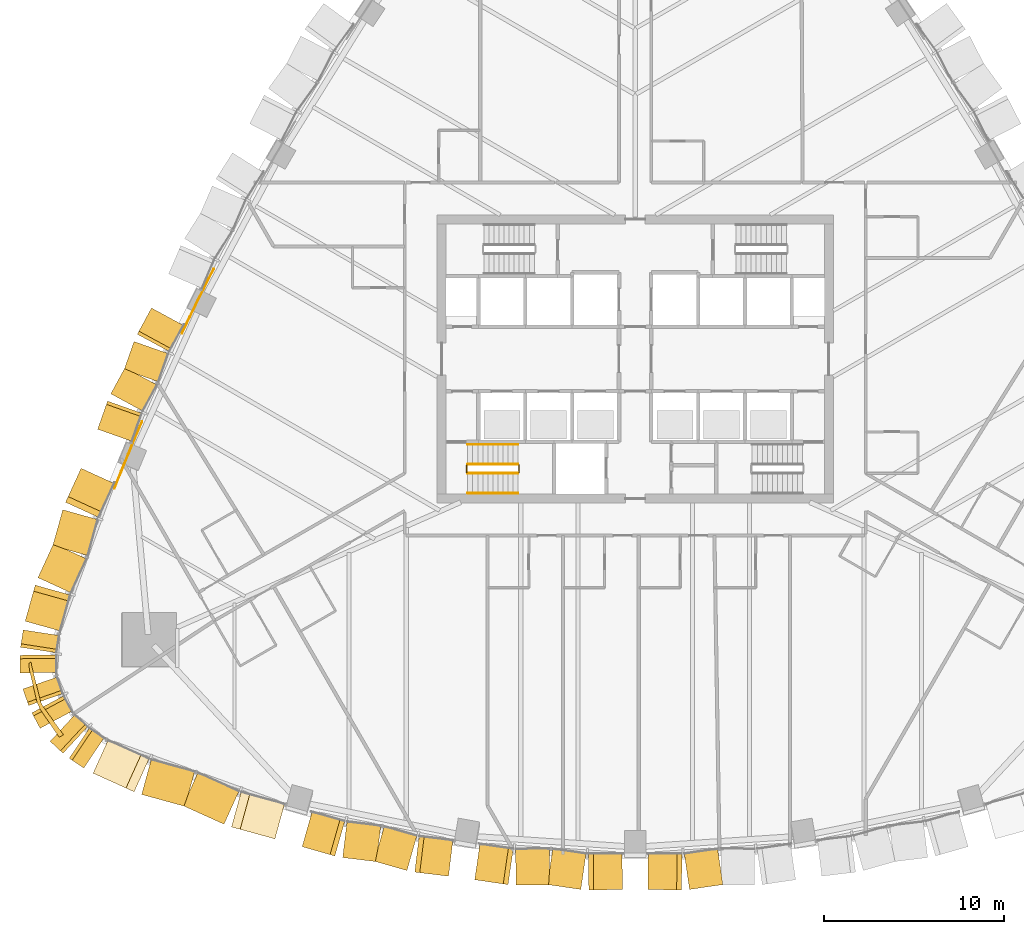
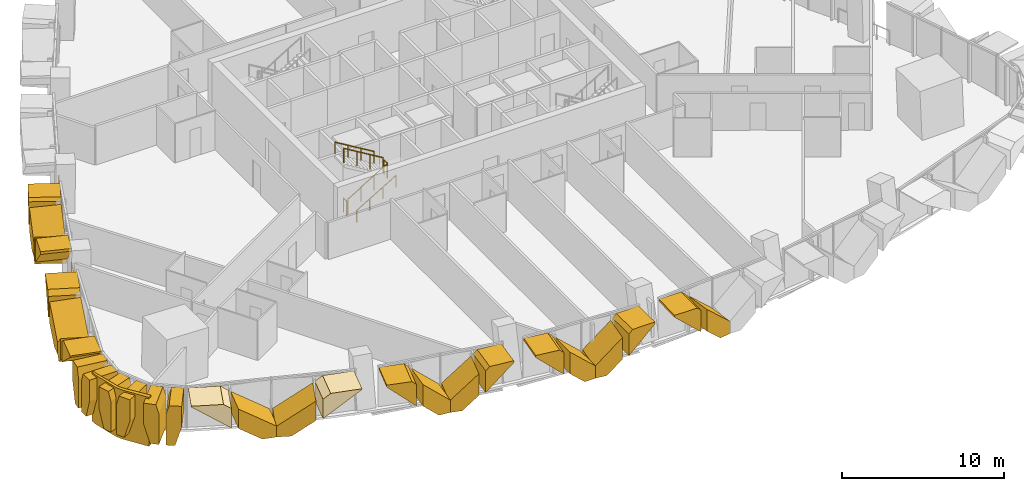
# One storey, part 20 of 24: 29 coverings, 8 railings.
"""IFC4 building model written with IfcOpenShell, lengths in metres."""

from ifc_helpers import new_model, si_unit, direction, frame, origin, origin_2d, place, context, subcontext, project, spatial, polyline, circle, outline, extrude, material, layer, layer_set, type_object, element, save


model = new_model("IFC4")

# Units and contexts
model_context = context("Model", 3, precision=1e-05, world=origin(), true_north=direction((0.0, 1.0)))
body_context = subcontext(model_context, "Body", "Model", "MODEL_VIEW")
ifc_project = project(units=[si_unit("LENGTHUNIT", "METRE"), si_unit("AREAUNIT", "SQUARE_METRE"), si_unit("VOLUMEUNIT", "CUBIC_METRE"), si_unit("PLANEANGLEUNIT", "RADIAN"), si_unit("MASSUNIT", "GRAM", prefix="KILO")], contexts=[model_context])

# Site, building, storey
site_placement = place(None, origin())
site = spatial("IfcSite", under=ifc_project, at=site_placement, CompositionType="ELEMENT")
building_placement = place(site_placement, origin())
building = spatial("IfcBuilding", under=site, at=building_placement, Name="Sierra Prisma Convention Tower", CompositionType="ELEMENT")
storey_placement = place(building_placement, frame((0.0, 0.0, 55.39990234375)))
storey = spatial("IfcBuildingStorey", under=building, at=storey_placement, Name="L09", CompositionType="ELEMENT", Elevation=55.39990234375)

# Coverings
ifc_material_1 = material(Name="Aluminium composite bronze anodised", Category="aluminium")
ifc_layer_1 = layer(ifc_material_1, 1.199951171875)
ifc_layer_set_1 = layer_set([ifc_layer_1], Name="Bronze corner pier")
covering_type_1 = type_object("IfcCoveringType", Name="Bronze corner pier", PredefinedType="CLADDING", material=ifc_layer_set_1)
covering_1_placement = place(storey_placement, frame((0.0, 0.0, -0.599853515625)))
element("IfcCovering", 1, at=covering_1_placement, inside=storey, type_object=covering_type_1, Name="Corner pier SW L09.1", PredefinedType="CLADDING", context=body_context, shape_type="SweptSolid", body=[
    extrude(outline(polyline([(-33.04296875, -19.4443359375), (-33.218017578125, -19.04541015625), (-33.64013671875, -17.2470703125), (-33.6572265625, -16.8916015625), (-33.538330078125, -16.822998046875), (-33.5380859375, -16.837890625), (-33.52587890625, -16.9521484375), (-33.50341796875, -17.064697265625), (-33.035400390625, -18.92236328125), (-33.002197265625, -19.032470703125), (-32.95849609375, -19.138916015625), (-32.9052734375, -19.240478515625), (-32.8427734375, -19.3369140625), (-31.7421875, -20.86669921875), (-31.977294921875, -21.00244140625), (-32.00634765625, -20.97314453125), (-33.04296875, -19.4443359375)])), origin(), (0.0, 0.0, 1.0), 3.699951171875),
])
ifc_material_2 = material(Name="Aluminium 6063-T6 bronze anodised", Category="aluminium")
ifc_layer_2 = layer(ifc_material_2, 2.0)
ifc_layer_set_2 = layer_set([ifc_layer_2], Name="Bronze crystal chevron frame")
covering_type_2 = type_object("IfcCoveringType", Name="Bronze crystal chevron frame", PredefinedType="CLADDING", material=ifc_layer_set_2)
covering_2_placement = place(storey_placement, frame((-30.099609375, -23.00048828125, 2.97998046875), z_axis=(-0.412408318754, -0.910999109772, -2.4825765e-05), x_axis=(1.0238352e-05, 2.261625e-05, -0.999999999692)))
element("IfcCovering", 2, at=covering_2_placement, inside=storey, type_object=covering_type_2, Name="CW-2 chevron frame S1.1.1", PredefinedType="CLADDING", context=body_context, shape_type="SweptSolid", body=[
    extrude(outline(polyline([(0.0, 0.0), (0.05615234373269613, 0.0), (1.8181152340305025, 2.501166953466521), (0.3500976563578858, 2.501166953466521), (-9.393743006324933e-10, 2.003794556953141), (0.0, 0.0)])), origin(), (0.0, 0.0, -1.0), 2.0),
])
covering_3_placement = place(storey_placement, frame((-27.404052734375, -24.1826171875, 2.538330078125), z_axis=(-0.264818876628, -0.964298170993, -1.082187e-06), x_axis=(2.86583e-07, 1.043551e-06, -0.999999999999)))
element("IfcCovering", 3, at=covering_3_placement, inside=storey, type_object=covering_type_2, Name="CW-2 chevron frame S1.1.2", PredefinedType="CLADDING", context=body_context, shape_type="SweptSolid", body=[
    extrude(outline(polyline([(0.0, 0.0), (1.4680175781241405, 7.771620348877118e-23), (2.5383300781273954, 1.5193297931677665), (2.5383300781247673, 2.5011609481291344), (1.7619628906252218, 2.5011609481291344), (0.0, 0.0)])), origin(), (0.0, 0.0, -1.0), 2.0),
])
covering_4_placement = place(storey_placement, frame((-25.109130859375, -24.802734375, 0.0), z_axis=(-0.41248400661, -0.910964842494, -5.517951e-06), x_axis=(0.910964842508, -0.412484006616, -7e-11)))
element("IfcCovering", 4, at=covering_4_placement, inside=storey, type_object=covering_type_2, Name="CW-2 chevron frame S1.2.1", PredefinedType="CLADDING", context=body_context, shape_type="SweptSolid", body=[
    extrude(outline(polyline([(0.0, 0.0), (0.9819546264467854, 0.0), (2.5012676481404457, 1.0703125001903635), (2.501267648038283, 2.538330078293015), (-5.4029215795880226e-11, 0.7763671874881807), (0.0, 0.0)])), origin(), (0.0, 0.0, -1.0), 2.0),
])
covering_5_placement = place(storey_placement, frame((-20.001708984375, -26.6474609375, 2.97998046875), z_axis=(-0.264824758992, -0.964296554399, 4.6891213e-05), x_axis=(-0.964296555459, 0.264824759283, 1.672e-09)))
element("IfcCovering", 5, at=covering_5_placement, inside=storey, type_object=covering_type_2, Name="CW-2 chevron frame S1.2.2", PredefinedType="CLADDING", context=body_context, shape_type="SweptSolid", body=[
    extrude(outline(polyline([(0.0, 0.0), (2.003939517368585, 0.0), (2.501160947490035, 0.35009766081775506), (2.5011609450349703, 1.818115237328827), (-9.390735183635185e-11, 0.05615234368826652), (0.0, 0.0)])), origin(), (0.0, 0.0, -1.0), 2.0),
])
covering_6_placement = place(storey_placement, frame((-18.492431640625, -27.079833984375, 2.97998046875), z_axis=(-0.27416456094, -0.961682791125, -5.2708813e-05), x_axis=(1.4450889e-05, 5.0689159e-05, -0.999999998611)))
element("IfcCovering", 6, at=covering_6_placement, inside=storey, type_object=covering_type_2, Name="CW-2 chevron frame S2.1.1", PredefinedType="CLADDING", context=body_context, shape_type="SweptSolid", body=[
    extrude(outline(polyline([(0.0, 0.0), (0.14990234354176923, 2.539444480537795e-22), (1.885009763715992, 1.8887751490410103), (0.2553710941047384, 1.8887751490410103), (-4.943954679852082e-09, 1.610566241895148), (0.0, 0.0)])), origin(), (0.0, 0.0, -1.0), 2.0),
])
covering_7_placement = place(storey_placement, frame((-16.241455078125, -27.685302734375, 2.605224609375), z_axis=(-0.120205437435, -0.992749037986, 1.9731188e-05), x_axis=(-2.371796e-06, -1.9588118e-05, -0.999999999805)))
element("IfcCovering", 7, at=covering_7_placement, inside=storey, type_object=covering_type_2, Name="CW-2 chevron frame S2.1.2", PredefinedType="CLADDING", context=body_context, shape_type="SweptSolid", body=[
    extrude(outline(polyline([(0.0, 0.0), (1.6296386715577749, 0.0), (2.605224610220887, 1.0616613871117468), (2.6052246092476823, 1.888697185071152), (1.735107421917059, 1.888697185071152), (0.0, 0.0)])), origin(), (0.0, 0.0, -1.0), 2.0),
])
covering_8_placement = place(storey_placement, frame((-13.693115234375, -28.114501953125, 0.0), z_axis=(-0.274064471658, -0.9617113211, -1.5614631e-05), x_axis=(0.708129630947, -0.201810807674, 0.676627536893)))
element("IfcCovering", 8, at=covering_8_placement, inside=storey, type_object=covering_type_2, Name="CW-2 chevron frame S2.2.1", PredefinedType="CLADDING", context=body_context, shape_type="SweptSolid", body=[
    extrude(outline(polyline([(0.0, 0.0), (1.4418359953098328, -2.220446049250313e-16), (2.5444943958854287, 1.1999444369899268), (-0.020058128913551743, 1.2001338048780543), (-0.6088033782995328, 0.5594443706560168), (0.0, 0.0)])), origin(), (0.0, 0.0, -1.0), 2.0),
])
covering_9_placement = place(storey_placement, frame((-10.362548828125, -28.720458984375, 2.97998046875), z_axis=(-0.120360382957, -0.99273026447, 1.4822663e-05), x_axis=(-0.992730264579, 0.12036038297, 2.43e-10)))
element("IfcCovering", 9, at=covering_9_placement, inside=storey, type_object=covering_type_2, Name="CW-2 chevron frame S2.2.2", PredefinedType="CLADDING", context=body_context, shape_type="SweptSolid", body=[
    extrude(outline(polyline([(0.0, 0.0), (1.610342753062063, -4.235164736271502e-22), (1.8884841840805937, 0.255371094236571), (1.8884841836849233, 1.8850097659325462), (-3.6395739055621725e-11, 0.1499023437335324), (0.0, 0.0)])), origin(), (0.0, 0.0, -1.0), 2.0),
])
covering_10_placement = place(storey_placement, frame((-8.909912109375, -28.91796875, 2.97998046875), z_axis=(-0.144055726127, -0.98956957648, -3.2797779e-05), x_axis=(4.724708e-06, 3.2455684e-05, -0.999999999462)))
element("IfcCovering", 10, at=covering_10_placement, inside=storey, type_object=covering_type_2, Name="CW-2 chevron frame S3.1.1", PredefinedType="CLADDING", context=body_context, shape_type="SweptSolid", body=[
    extrude(outline(polyline([(0.0, 0.0), (0.1535644530424058, -1.300741513239636e-22), (1.8876953117554705, 1.8710774398898244), (0.251708984510381, 1.8710774398898244), (-1.9250095656353857e-09, 1.5994551204359857), (0.0, 0.0)])), origin(), (0.0, 0.0, -1.0), 2.0),
])
covering_11_placement = place(storey_placement, frame((-6.615966796875, -29.216796875, 2.60791015625), z_axis=(0.012404988383, -0.999923054974, 1.9879615e-05), x_axis=(2.46606e-07, -1.9878086e-05, -0.999999999802)))
element("IfcCovering", 11, at=covering_11_placement, inside=storey, type_object=covering_type_2, Name="CW-2 chevron frame S3.1.2", PredefinedType="CLADDING", context=body_context, shape_type="SweptSolid", body=[
    extrude(outline(polyline([(0.0, 0.0), (1.63598632780173, 0.0), (2.607910157110639, 1.0486638150257006), (2.607910156118782, 1.871237492365638), (1.73413085941644, 1.871237492365638), (0.0, 0.0)])), origin(), (0.0, 0.0, -1.0), 2.0),
])
covering_12_placement = place(storey_placement, frame((-4.0546875, -29.303955078125, 0.0), z_axis=(-0.144188908613, -0.989550179764, 1.9023935e-05), x_axis=(0.725732943613, -0.105734616293, 0.679802828379)))
element("IfcCovering", 12, at=covering_12_placement, inside=storey, type_object=covering_type_2, Name="CW-2 chevron frame S3.2.1", PredefinedType="CLADDING", context=body_context, shape_type="SweptSolid", body=[
    extrude(outline(polyline([(0.0, 0.0), (1.4297143060590067, 0.0), (2.5418624391083027, 1.1998240683526273), (-0.009269124695721831, 1.2000089531101175), (-0.6032667620906526, 0.5591836523141087), (0.0, 0.0)])), origin(), (0.0, 0.0, -1.0), 2.0),
])
covering_13_placement = place(storey_placement, frame((-0.70361328125, -29.4609375, 2.97998046875), z_axis=(0.012407706702, -0.999923016742, -9.6971456e-05), x_axis=(-0.999923021444, -0.012407706761, 1.0521e-08)))
element("IfcCovering", 13, at=covering_13_placement, inside=storey, type_object=covering_type_2, Name="CW-2 chevron frame S3.2.2", PredefinedType="CLADDING", context=body_context, shape_type="SweptSolid", body=[
    extrude(outline(polyline([(0.0, 0.0), (1.599490514021372, 4.235164736271502e-22), (1.8712374896580073, 0.25170900524544815), (1.8712374724460659, 1.8876953256784796), (-1.6156261942453985e-09, 0.15356445240298117), (0.0, 0.0)])), origin(), (0.0, 0.0, -1.0), 2.0),
])
covering_14_placement = place(storey_placement, frame((0.70361328125, -29.4609375, 2.97998046875), z_axis=(-0.012407706702, -0.999923016742, -9.6971456e-05), x_axis=(1.203193e-06, 9.6963991e-05, -0.999999995298)))
element("IfcCovering", 14, at=covering_14_placement, inside=storey, type_object=covering_type_2, Name="CW-2 chevron frame S4.1.1", PredefinedType="CLADDING", context=body_context, shape_type="SweptSolid", body=[
    extrude(outline(polyline([(0.0, 0.0), (0.15356445240298117, -3.25185378309909e-23), (1.8876953059914996, 1.8712374923061963), (0.2517089855584681, 1.8712374923061963), (-1.6827975038901615e-08, 1.599490514021372), (0.0, 0.0)])), origin(), (0.0, 0.0, -1.0), 2.0),
])
covering_15_placement = place(storey_placement, frame((3.01708984375, -29.455078125, 2.60791015625), z_axis=(0.144188908613, -0.989550179764, 1.9023935e-05), x_axis=(2.74304e-06, -1.8825138e-05, -0.999999999819)))
element("IfcCovering", 15, at=covering_15_placement, inside=storey, type_object=covering_type_2, Name="CW-2 chevron frame S4.1.2", PredefinedType="CLADDING", context=body_context, shape_type="SweptSolid", body=[
    extrude(outline(polyline([(0.0, 0.0), (1.6359863278289601, -6.928671605897298e-22), (2.607910157038144, 1.048545214649871), (2.6079101561298343, 1.8711126242028426), (1.7341308594129494, 1.8711126242028426), (0.0, 0.0)])), origin(), (0.0, 0.0, -1.0), 2.0),
])
covering_16_placement = place(storey_placement, frame((-26.857177734375, 2.830810546875, 2.97998046875), z_axis=(-0.879167405342, 0.476513035136, 2.7011819e-05), x_axis=(-2.3747911e-05, 1.2871484e-05, -0.999999999635)))
element("IfcCovering", 16, at=covering_16_placement, inside=storey, type_object=covering_type_2, Name="CW-2 chevron frame NW5.1.1", PredefinedType="CLADDING", context=body_context, shape_type="SweptSolid", body=[
    extrude(outline(polyline([(0.0, 0.0), (0.20727539054938196, 0.0), (1.9274902338157474, 1.655899748556761), (0.19726562507196627, 1.655899748556761), (-1.4136743771718573e-09, 1.4659249337195335), (0.0, 0.0)])), origin(), (0.0, 0.0, -1.0), 2.0),
])
covering_17_placement = place(storey_placement, frame((-27.826416015625, 0.9697265625, 2.647705078125), z_axis=(-0.942847946319, 0.33322327198, -3.3652377e-05), x_axis=(3.1729075e-05, -1.1213755e-05, -0.999999999434)))
element("IfcCovering", 17, at=covering_17_placement, inside=storey, type_object=covering_type_2, Name="CW-2 chevron frame NW5.1.2", PredefinedType="CLADDING", context=body_context, shape_type="SweptSolid", body=[
    extrude(outline(polyline([(0.0, 0.0), (1.7302246083952757, 0.0), (2.6477050806746067, 0.8832002904490599), (2.6477050776647912, 1.6559075232488045), (1.7202148438149742, 1.6559075232488045), (0.0, 0.0)])), origin(), (0.0, 0.0, -1.0), 2.0),
])
covering_18_placement = place(storey_placement, frame((-28.32763671875, -0.478271484375, 0.0), z_axis=(-0.879101860328, 0.476633946647, 8.491063e-06), x_axis=(-0.476633946664, -0.879101860359, -2.48e-10)))
element("IfcCovering", 18, at=covering_18_placement, inside=storey, type_object=covering_type_2, Name="CW-2 chevron frame NW5.2.1", PredefinedType="CLADDING", context=body_context, shape_type="SweptSolid", body=[
    extrude(outline(polyline([(0.0, 0.0), (0.7728957770743188, 4.235164736271502e-22), (1.6560160991105004, 0.9174804691936339), (1.656016098681543, 2.647705078506261), (-2.2994340576188642e-10, 0.9274902343415649), (0.0, 0.0)])), origin(), (0.0, 0.0, -1.0), 2.0),
])
covering_19_placement = place(storey_placement, frame((-29.848876953125, -3.900634765625, 2.97998046875), z_axis=(-0.942852444083, 0.333210544281, 4.3201794e-05), x_axis=(0.333210544592, 0.942852444963, 2.467e-09)))
element("IfcCovering", 19, at=covering_19_placement, inside=storey, type_object=covering_type_2, Name="CW-2 chevron frame NW5.2.2", PredefinedType="CLADDING", context=body_context, shape_type="SweptSolid", body=[
    extrude(outline(polyline([(0.0, 0.0), (1.4658793922519833, 3.3881317890172014e-21), (1.6559075230280902, 0.19726562926900365), (1.6559075187598433, 1.9274902370293627), (-5.113223460614193e-10, 0.20727539043157117), (0.0, 0.0)])), origin(), (0.0, 0.0, -1.0), 2.0),
])
covering_20_placement = place(storey_placement, frame((-30.765380859375, -6.06884765625, 2.97998046875), z_axis=(-0.909217782755, 0.416320815504, 4.5834417e-05), x_axis=(-4.1673467e-05, 1.9081822e-05, -0.99999999895)))
element("IfcCovering", 20, at=covering_20_placement, inside=storey, type_object=covering_type_2, Name="CW-2 chevron frame NW6.1.1", PredefinedType="CLADDING", context=body_context, shape_type="SweptSolid", body=[
    extrude(outline(polyline([(0.0, 0.0), (0.1140136717552404, 0.0), (1.8591308580345645, 2.0759126890360977), (0.2915039065561948, 2.0759126890360977), (-3.5327802116345223e-09, 1.7289470397220899), (0.0, 0.0)])), origin(), (0.0, 0.0, -1.0), 2.0),
])
covering_21_placement = place(storey_placement, frame((-31.781982421875, -8.372802734375, 2.579345703125), z_axis=(-0.963147549927, 0.268973598255, 2.2599076e-05), x_axis=(-2.1766245e-05, 6.078555e-06, -0.999999999745)))
element("IfcCovering", 21, at=covering_21_placement, inside=storey, type_object=covering_type_2, Name="CW-2 chevron frame NW6.1.2", PredefinedType="CLADDING", context=body_context, shape_type="SweptSolid", body=[
    extrude(outline(polyline([(0.0, 0.0), (1.5676269527246922, 1.3278316783007477e-21), (2.5793457042097154, 1.2033008818480984), (2.5793457029830438, 2.075770973568197), (1.7451171875710716, 2.075770973568197), (0.0, 0.0)])), origin(), (0.0, 0.0, -1.0), 2.0),
])
covering_22_placement = place(storey_placement, frame((-32.297607421875, -10.255615234375, 0.0), z_axis=(-0.909210430135, 0.416336874661, 2.3034587e-05), x_axis=(-0.416336874772, -0.909210430376, -1.461e-09)))
element("IfcCovering", 22, at=covering_22_placement, inside=storey, type_object=covering_type_2, Name="CW-2 chevron frame NW6.2.1", PredefinedType="CLADDING", context=body_context, shape_type="SweptSolid", body=[
    extrude(outline(polyline([(0.0, 0.0), (0.8724448139534627, -1.6940658945086007e-21), (2.075912687470437, 1.011718753300752), (2.075912685180558, 2.5793457060098666), (-1.2185820981941853e-09, 0.8342285154036825), (0.0, 0.0)])), origin(), (0.0, 0.0, -1.0), 2.0),
])
covering_23_placement = place(storey_placement, frame((-33.872802734375, -14.558837890625, 2.97998046875), z_axis=(-0.96314435185, 0.268985050626, 6.236928e-06), x_axis=(0.268985050631, 0.963144351869, 3.8e-11)))
element("IfcCovering", 23, at=covering_23_placement, inside=storey, type_object=covering_type_2, Name="CW-2 chevron frame NW6.2.2", PredefinedType="CLADDING", context=body_context, shape_type="SweptSolid", body=[
    extrude(outline(polyline([(0.0, 0.0), (1.7290098011596893, 0.0), (2.075770973682291, 0.2915039063342035), (2.075770973622982, 1.8591308594287137), (-4.313542449138835e-12, 0.11401367187278248), (0.0, 0.0)])), origin(), (0.0, 0.0, -1.0), 2.0),
])
covering_24_placement = place(storey_placement, frame((-33.977783203125, -15.046142578125, 2.97998046875), z_axis=(-0.988443183587, 0.151591793793, 2.9569282e-05), x_axis=(-2.9227555e-05, 4.48246e-06, -0.999999999563)))
element("IfcCovering", 24, at=covering_24_placement, inside=storey, type_object=covering_type_2, Name="CW-2 chevron frame SW1.1.1", PredefinedType="CLADDING", context=body_context, shape_type="SweptSolid", body=[
    extrude(outline(polyline([(0.0, 0.0), (1.588867186805393, 1.345822856623776e-21), (2.97998047045634, 0.4132384125699193), (2.979980468386376, 0.9741535529925804), (0.6540527350282046, 0.9741535529925804), (-1.2185211401079733e-09, 0.7797572168401666), (0.0, 0.0)])), origin(), (0.0, 0.0, -1.0), 2.0),
])
covering_25_placement = place(storey_placement, frame((-34.158203125, -16.451416015625, 0.0), z_axis=(-0.999987609555, -0.004977965567, 2.4408547e-05), x_axis=(0.004977965568, -0.999987609853, -4.617e-09)))
element("IfcCovering", 25, at=covering_25_placement, inside=storey, type_object=covering_type_2, Name="CW-2 chevron frame SW1.1.2", PredefinedType="CLADDING", context=body_context, shape_type="SweptSolid", body=[
    extrude(outline(polyline([(0.0, 0.0), (0.5607974359015554, 1.3234889800848443e-23), (0.974133324295406, 1.391113286153867), (0.9741333169591153, 2.9799804731805617), (0.19433837718410724, 2.9799804689830243), (-1.0739527011057876e-08, 2.3259277336821325), (0.0, 0.0)])), origin(), (0.0, 0.0, -1.0), 2.0),
])
covering_26_placement = place(storey_placement, frame((-33.99951171875, -18.323486328125, 2.97998046875), z_axis=(-0.944493580696, -0.328529870663, -1.028767e-05), x_axis=(9.716638e-06, 3.379807e-06, -0.999999999947)))
element("IfcCovering", 26, at=covering_26_placement, inside=storey, type_object=covering_type_2, Name="CW-2 chevron frame SW2.1.1", PredefinedType="CLADDING", context=body_context, shape_type="SweptSolid", body=[
    extrude(outline(polyline([(0.0, 0.0), (1.5888671874159204, 6.72911428311888e-22), (2.9799804681381197, 0.41330757903111), (2.979980468597333, 0.974242911692948), (0.6540527343454166, 0.974242911692948), (-1.0067993309178417e-09, 0.7798254315075515), (0.0, 0.0)])), origin(), (0.0, 0.0, -1.0), 2.0),
])
covering_27_placement = place(storey_placement, frame((-33.50146484375, -19.649658203125, 0.0), z_axis=(-0.881392856811, -0.472383987821, 3.526742e-06), x_axis=(0.472383987824, -0.881392856817, -4.09e-10)))
element("IfcCovering", 27, at=covering_27_placement, inside=storey, type_object=covering_type_2, Name="CW-2 chevron frame SW2.1.2", PredefinedType="CLADDING", context=body_context, shape_type="SweptSolid", body=[
    extrude(outline(polyline([(0.0, 0.0), (0.560878213340539, -1.0587911840678754e-22), (0.9741949443708398, 1.391113281683598), (0.9741949437212399, 2.9799804691737166), (0.19442240232343416, 2.9799804686302744), (-9.509430752161249e-10, 2.325927734360535), (0.0, 0.0)])), origin(), (0.0, 0.0, -1.0), 2.0),
])
covering_28_placement = place(storey_placement, frame((-32.485107421875, -21.22998046875, 2.97998046875), z_axis=(-0.680955142336, -0.732325128677, -5.909032e-06), x_axis=(4.023786e-06, 4.327333e-06, -0.999999999983)))
element("IfcCovering", 28, at=covering_28_placement, inside=storey, type_object=covering_type_2, Name="CW-2 chevron frame SW3.1.1", PredefinedType="CLADDING", context=body_context, shape_type="SweptSolid", body=[
    extrude(outline(polyline([(0.0, 0.0), (1.588867187472261, 1.345822856623776e-21), (2.979980468791563, 0.4130398336013066), (2.979980468731951, 0.9741233270970902), (0.6540527343975573, 0.9741233270970902), (-7.657065755266613e-11, 0.7797817164578118), (0.0, 0.0)])), origin(), (0.0, 0.0, -1.0), 2.0),
])
covering_29_placement = place(storey_placement, frame((-30.958984375, -22.48193359375, 0.0), z_axis=(-0.5581065146, -0.829769316349, -2.615863e-06), x_axis=(0.236360265953, -0.158979982887, 0.958571431725)))
element("IfcCovering", 29, at=covering_29_placement, inside=storey, type_object=covering_type_2, Name="CW-2 chevron frame SW3.1.2", PredefinedType="CLADDING", context=body_context, shape_type="SweptSolid", body=[
    extrude(outline(polyline([(0.0, 0.0), (1.4512359070954333, 1.1102230246251565e-16), (2.9742786018386176, 0.45259240988587685), (2.7520978463383443, 1.2002646404589132), (2.0698230041696757, 1.2001117116190003), (-0.15974487425969053, 0.5375659388804098), (0.0, 0.0)])), origin(), (0.0, 0.0, -1.0), 2.0),
])

# Railings
ifc_material_3 = material(Name="Stainless steel", Category="steel")
railing_type_1 = type_object("IfcRailingType", Name="Exit stair handrail", PredefinedType="HANDRAIL", material=ifc_material_3)
railing_1_placement = place(storey_placement, frame((-9.300048828125, -7.449951171875, 0.168212890625)))
element("IfcRailing", 30, at=railing_1_placement, inside=storey, type_object=railing_type_1, Name="L09 S1 stair handrail 1", PredefinedType="HANDRAIL", context=body_context, shape_type="SweptSolid", body=[
    extrude(circle(Radius=0.02392578125, at=origin_2d()), frame((0.0, 0.0, 0.8759765625), z_axis=(0.857242210791, 0.0, 0.514913383045), x_axis=(0.0, 1.0, 0.0)), (0.0, 0.0, 1.0), 3.266357421875),
    extrude(circle(Radius=0.02099609375, at=origin_2d()), origin(), (0.0, 0.0, 1.0), 0.851806640625),
    extrude(circle(Radius=0.02099609375, at=origin_2d()), frame((0.933349609375, 0.0, 0.560546875)), (0.0, 0.0, 1.0), 0.851806640625),
    extrude(circle(Radius=0.02099609375, at=origin_2d()), frame((1.86669921875, 0.0, 1.121337890625)), (0.0, 0.0, 1.0), 0.851806640625),
    extrude(circle(Radius=0.02099609375, at=origin_2d()), frame((2.800048828125, 0.0, 1.681884765625)), (0.0, 0.0, 1.0), 0.851806640625),
])
railing_2_placement = place(storey_placement, frame((-6.5, -4.75, 2.018310546875)))
element("IfcRailing", 31, at=railing_2_placement, inside=storey, type_object=railing_type_1, Name="L09 S1 stair handrail 2", PredefinedType="HANDRAIL", context=body_context, shape_type="SweptSolid", body=[
    extrude(circle(Radius=0.02392578125, at=origin_2d()), frame((0.0, 0.0, 0.8759765625), z_axis=(-0.857242210791, 0.0, 0.514913383045), x_axis=(0.0, -1.0, 0.0)), (0.0, 0.0, 1.0), 3.266357421875),
    extrude(circle(Radius=0.02099609375, at=origin_2d()), origin(), (0.0, 0.0, 1.0), 0.851806640625),
    extrude(circle(Radius=0.02099609375, at=origin_2d()), frame((-0.933349609375, 0.0, 0.560546875)), (0.0, 0.0, 1.0), 0.851806640625),
    extrude(circle(Radius=0.02099609375, at=origin_2d()), frame((-1.86669921875, 0.0, 1.121337890625)), (0.0, 0.0, 1.0), 0.851806640625),
    extrude(circle(Radius=0.02099609375, at=origin_2d()), frame((-2.800048828125, 0.0, 1.681884765625)), (0.0, 0.0, 1.0), 0.851806640625),
])
ifc_material_4 = material(Name="Bronze anodised aluminium", Category="aluminium")
railing_type_2 = type_object("IfcRailingType", Name="Facade guard 1100", PredefinedType="GUARDRAIL", material=ifc_material_4)
railing_3_placement = place(storey_placement, frame((-23.406494140625, 4.99951171875, 0.0)))
element("IfcRailing", 32, at=railing_3_placement, inside=storey, type_object=railing_type_2, Name="Facade guard", PredefinedType="GUARDRAIL", context=body_context, shape_type="SweptSolid", body=[
    extrude(circle(Radius=0.02392578125, at=origin_2d()), frame((0.0, 0.0, 1.076171875), z_axis=(-0.449470569267, -0.893295140121, 0.0), x_axis=(0.893295140121, -0.449470569267, 0.0)), (0.0, 0.0, 1.0), 0.99462890625),
    extrude(circle(Radius=0.02392578125, at=origin_2d()), frame((-0.447021484375, -0.888427734375, 1.076171875), z_axis=(-0.44701827374, -0.894524825224, 0.0), x_axis=(0.894524825224, -0.44701827374, 0.0)), (0.0, 0.0, 1.0), 1.0),
    extrude(circle(Radius=0.02392578125, at=origin_2d()), frame((-0.89404296875, -1.782958984375, 1.076171875), z_axis=(-0.436574705312, -0.899668009147, 0.0), x_axis=(0.899668009147, -0.436574705312, 0.0)), (0.0, 0.0, 1.0), 0.994384765625),
    extrude(circle(Radius=0.02392578125, at=origin_2d()), frame((-1.328125, -2.677490234375, 1.076171875), z_axis=(-0.43457154287, -0.900637315532, 0.0), x_axis=(0.900637315532, -0.43457154287, 0.0)), (0.0, 0.0, 1.0), 1.0),
    extrude(circle(Radius=0.02099609375, at=origin_2d()), origin(), (0.0, 0.0, 1.0), 1.052001953125),
    extrude(circle(Radius=0.02099609375, at=origin_2d()), frame((-0.447021484375, -0.888427734375, 0.0)), (0.0, 0.0, 1.0), 1.052001953125),
    extrude(circle(Radius=0.02099609375, at=origin_2d()), frame((-0.89404296875, -1.782958984375, 0.0)), (0.0, 0.0, 1.0), 1.052001953125),
    extrude(circle(Radius=0.02099609375, at=origin_2d()), frame((-1.328125, -2.677490234375, 0.0)), (0.0, 0.0, 1.0), 1.052001953125),
    extrude(circle(Radius=0.02099609375, at=origin_2d()), frame((-1.7626953125, -3.578125, 0.0)), (0.0, 0.0, 1.0), 1.052001953125),
])
railing_4_placement = place(storey_placement, frame((-27.385986328125, -3.48583984375, 0.0)))
element("IfcRailing", 33, at=railing_4_placement, inside=storey, type_object=railing_type_2, Name="Facade guard", PredefinedType="GUARDRAIL", context=body_context, shape_type="SweptSolid", body=[
    extrude(circle(Radius=0.02392578125, at=origin_2d()), frame((0.0, 0.0, 1.076171875), z_axis=(-0.393089424679, -0.919500246985, 0.0), x_axis=(0.919500246985, -0.393089424679, 0.0)), (0.0, 0.0, 1.0), 0.994384765625),
    extrude(circle(Radius=0.02392578125, at=origin_2d()), frame((-0.390869140625, -0.914306640625, 1.076171875), z_axis=(-0.383731234591, -0.923444822174, 0.0), x_axis=(0.923444822174, -0.383731234591, 0.0)), (0.0, 0.0, 1.0), 1.000244140625),
    extrude(circle(Radius=0.02392578125, at=origin_2d()), frame((-0.774658203125, -1.837890625, 1.076171875), z_axis=(-0.379885084701, -0.925033687182, 0.0), x_axis=(0.925033687182, -0.379885084701, 0.0)), (0.0, 0.0, 1.0), 0.994140625),
    extrude(circle(Radius=0.02392578125, at=origin_2d()), frame((-1.15234375, -2.757568359375, 1.076171875), z_axis=(-0.370843409258, -0.928695410676, 0.0), x_axis=(0.928695410676, -0.370843409258, 0.0)), (0.0, 0.0, 1.0), 1.0),
    extrude(circle(Radius=0.02099609375, at=origin_2d()), origin(), (0.0, 0.0, 1.0), 1.052001953125),
    extrude(circle(Radius=0.02099609375, at=origin_2d()), frame((-0.390869140625, -0.914306640625, 0.0)), (0.0, 0.0, 1.0), 1.052001953125),
    extrude(circle(Radius=0.02099609375, at=origin_2d()), frame((-0.774658203125, -1.837890625, 0.0)), (0.0, 0.0, 1.0), 1.052001953125),
    extrude(circle(Radius=0.02099609375, at=origin_2d()), frame((-1.15234375, -2.757568359375, 0.0)), (0.0, 0.0, 1.0), 1.052001953125),
    extrude(circle(Radius=0.02099609375, at=origin_2d()), frame((-1.523193359375, -3.686279296875, 0.0)), (0.0, 0.0, 1.0), 1.052001953125),
])
ifc_material_5 = material(Name="Stainless steel", Category="steel")
railing_type_3 = type_object("IfcRailingType", Name="Stair guard 1100", PredefinedType="GUARDRAIL", material=ifc_material_5)
railing_5_placement = place(storey_placement, frame((-9.300048828125, -6.35009765625, 0.168212890625)))
element("IfcRailing", 34, at=railing_5_placement, inside=storey, type_object=railing_type_3, Name="L09 S1 stair guard 1", PredefinedType="GUARDRAIL", context=body_context, shape_type="SweptSolid", body=[
    extrude(circle(Radius=0.02392578125, at=origin_2d()), frame((0.0, 0.0, 1.076171875), z_axis=(0.857242210791, 0.0, 0.514913383045), x_axis=(0.0, 1.0, 0.0)), (0.0, 0.0, 1.0), 3.266357421875),
    extrude(circle(Radius=0.02099609375, at=origin_2d()), origin(), (0.0, 0.0, 1.0), 1.052001953125),
    extrude(circle(Radius=0.02099609375, at=origin_2d()), frame((0.933349609375, 0.0, 0.560546875)), (0.0, 0.0, 1.0), 1.052001953125),
    extrude(circle(Radius=0.02099609375, at=origin_2d()), frame((1.86669921875, 0.0, 1.121337890625)), (0.0, 0.0, 1.0), 1.052001953125),
    extrude(circle(Radius=0.02099609375, at=origin_2d()), frame((2.800048828125, 0.0, 1.681884765625)), (0.0, 0.0, 1.0), 1.052001953125),
])
railing_6_placement = place(storey_placement, frame((-6.449951171875, -6.300048828125, 1.85009765625)))
element("IfcRailing", 35, at=railing_6_placement, inside=storey, type_object=railing_type_3, Name="L09 S1 stair guard 2", PredefinedType="GUARDRAIL", context=body_context, shape_type="SweptSolid", body=[
    extrude(circle(Radius=0.02392578125, at=origin_2d()), frame((0.0, 0.0, 1.076171875), z_axis=(0.0, 1.0, 0.0), x_axis=(-1.0, 0.0, 0.0)), (0.0, 0.0, 1.0), 0.400146484375),
    extrude(circle(Radius=0.02099609375, at=origin_2d()), origin(), (0.0, 0.0, 1.0), 1.052001953125),
    extrude(circle(Radius=0.02099609375, at=origin_2d()), frame((0.0, 0.400146484375, 0.0)), (0.0, 0.0, 1.0), 1.052001953125),
])
railing_7_placement = place(storey_placement, frame((-6.5, -5.85009765625, 2.018310546875)))
element("IfcRailing", 36, at=railing_7_placement, inside=storey, type_object=railing_type_3, Name="L09 S1 stair guard 3", PredefinedType="GUARDRAIL", context=body_context, shape_type="SweptSolid", body=[
    extrude(circle(Radius=0.02392578125, at=origin_2d()), frame((0.0, 0.0, 1.076171875), z_axis=(-0.857242210791, 0.0, 0.514913383045), x_axis=(0.0, -1.0, 0.0)), (0.0, 0.0, 1.0), 3.266357421875),
    extrude(circle(Radius=0.02099609375, at=origin_2d()), origin(), (0.0, 0.0, 1.0), 1.052001953125),
    extrude(circle(Radius=0.02099609375, at=origin_2d()), frame((-0.933349609375, 0.0, 0.560546875)), (0.0, 0.0, 1.0), 1.052001953125),
    extrude(circle(Radius=0.02099609375, at=origin_2d()), frame((-1.86669921875, 0.0, 1.121337890625)), (0.0, 0.0, 1.0), 1.052001953125),
    extrude(circle(Radius=0.02099609375, at=origin_2d()), frame((-2.800048828125, 0.0, 1.681884765625)), (0.0, 0.0, 1.0), 1.052001953125),
])
railing_8_placement = place(storey_placement, frame((-9.35009765625, -6.300048828125, 0.0)))
element("IfcRailing", 37, at=railing_8_placement, inside=storey, type_object=railing_type_3, Name="L09 S1 stair guard 4", PredefinedType="GUARDRAIL", context=body_context, shape_type="SweptSolid", body=[
    extrude(circle(Radius=0.02392578125, at=origin_2d()), frame((0.0, 0.0, 1.076171875), z_axis=(0.0, 1.0, 0.0), x_axis=(-1.0, 0.0, 0.0)), (0.0, 0.0, 1.0), 0.400146484375),
    extrude(circle(Radius=0.02099609375, at=origin_2d()), origin(), (0.0, 0.0, 1.0), 1.052001953125),
    extrude(circle(Radius=0.02099609375, at=origin_2d()), frame((0.0, 0.400146484375, 0.0)), (0.0, 0.0, 1.0), 1.052001953125),
])

save(model, "model.ifc")
